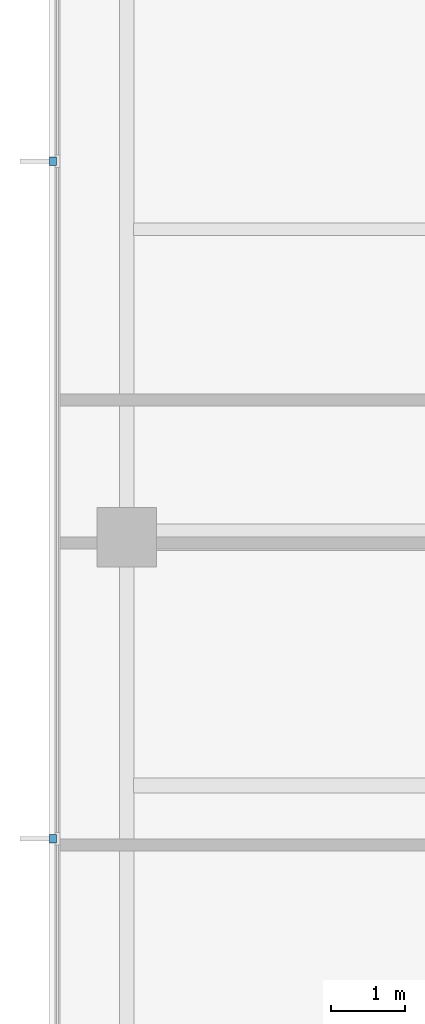
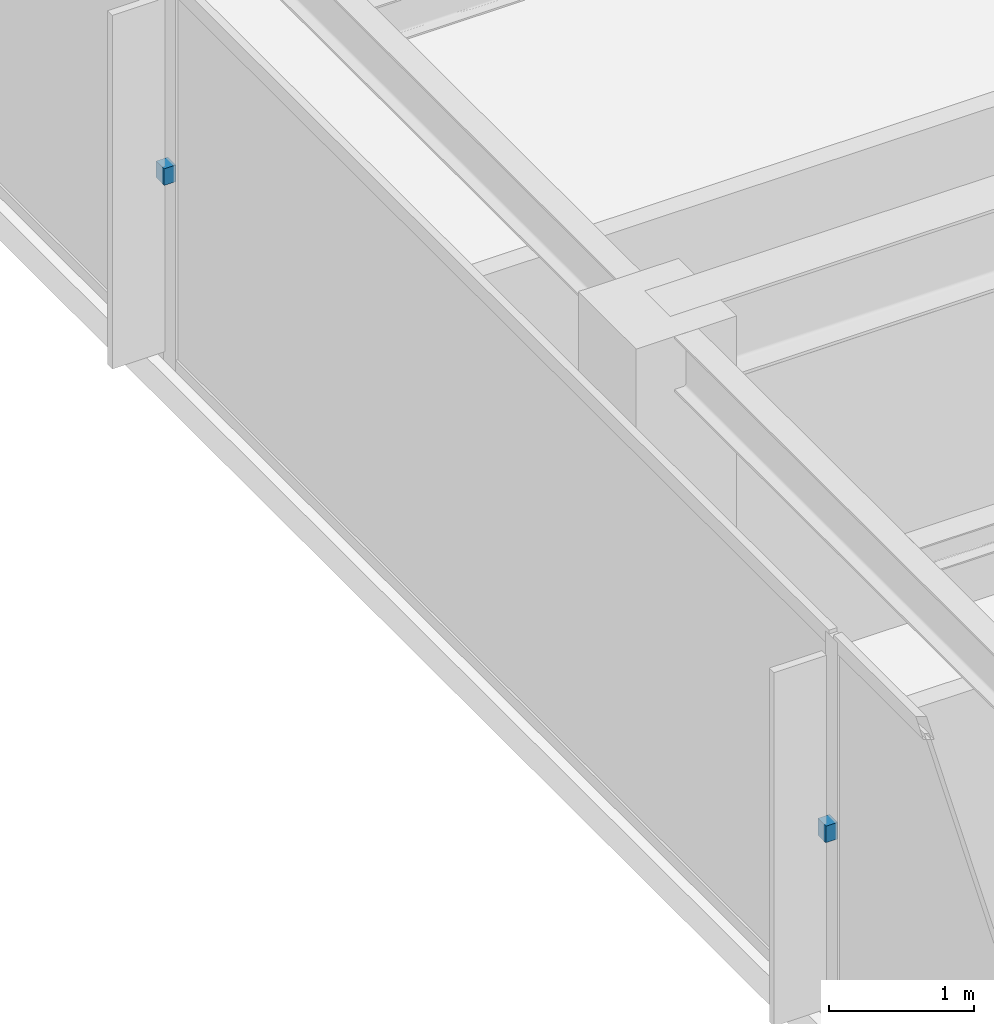
# One storey, part 9 of 11: 2 discrete accessories.
"""IFC4 building model written with IfcOpenShell, lengths in metres."""

from ifc_helpers import new_model, si_unit, direction, frame, origin, place, context, subcontext, project, spatial, polyline, outline, extrude, material, type_object, element, save


model = new_model("IFC4")

# Units and contexts
model_context = context("Model", 3, precision=1e-05, world=origin(), true_north=direction((0.0, 1.0)))
body_context = subcontext(model_context, "Body", "Model", "MODEL_VIEW")
ifc_project = project(units=[si_unit("LENGTHUNIT", "METRE"), si_unit("AREAUNIT", "SQUARE_METRE"), si_unit("VOLUMEUNIT", "CUBIC_METRE"), si_unit("PLANEANGLEUNIT", "RADIAN"), si_unit("MASSUNIT", "GRAM", prefix="KILO")], contexts=[model_context])

# Site, building, storey
site_placement = place(None, origin())
site = spatial("IfcSite", under=ifc_project, at=site_placement, CompositionType="ELEMENT")
building_placement = place(site_placement, origin())
building = spatial("IfcBuilding", under=site, at=building_placement, Name="Qalmaran Belvedere Hotel", CompositionType="ELEMENT")
storey_placement = place(building_placement, frame((0.0, 0.0, 270.39990234375)))
storey = spatial("IfcBuildingStorey", under=building, at=storey_placement, Name="L70", CompositionType="ELEMENT", Elevation=270.39990234375)

# Discrete accessories
ifc_material = material(Name="Stainless Steel 1.4401", Category="steel")
discrete_accessory_type = type_object("IfcDiscreteAccessoryType", Name="BRK-FIN-SS316", PredefinedType="BRACKET", material=ifc_material)
discrete_accessory_1_placement = place(storey_placement, frame((0.0, 0.0, 1.580078125)))
element("IfcDiscreteAccessory", 1, at=discrete_accessory_1_placement, inside=storey, type_object=discrete_accessory_type, Name="L70 Fin Bracket 1", PredefinedType="BRACKET", context=body_context, shape_type="SweptSolid", body=[
    extrude(outline(polyline([(11.455078125, 25.62158203125), (11.362548828125, 25.62158203125), (11.362548828125, 25.51171875), (11.455078125, 25.51171875), (11.455078125, 25.62158203125)])), origin(), (0.0, 0.0, 1.0), 0.14013671875),
])
discrete_accessory_2_placement = place(storey_placement, frame((0.0, 0.0, 1.580078125)))
element("IfcDiscreteAccessory", 2, at=discrete_accessory_2_placement, inside=storey, type_object=discrete_accessory_type, Name="L70 Fin Bracket 2", PredefinedType="BRACKET", context=body_context, shape_type="SweptSolid", body=[
    extrude(outline(polyline([(11.455078125, 16.48828125), (11.362548828125, 16.48828125), (11.362548828125, 16.37841796875), (11.455078125, 16.37841796875), (11.455078125, 16.48828125)])), origin(), (0.0, 0.0, 1.0), 0.14013671875),
])

save(model, "model.ifc")
